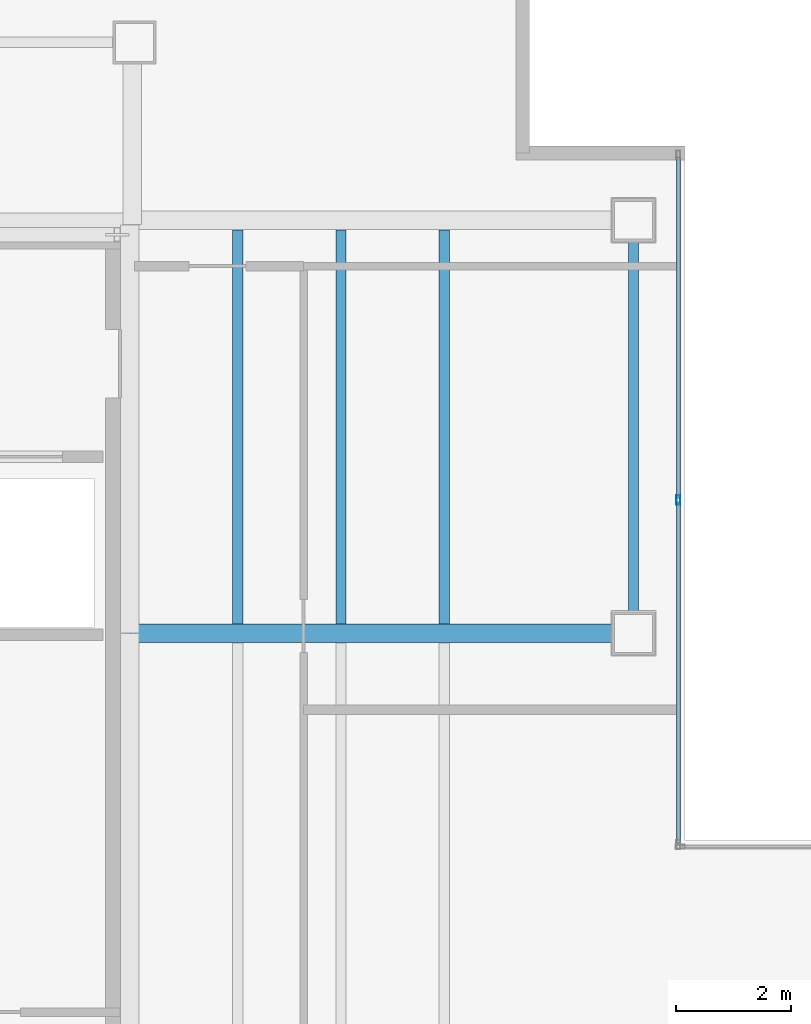
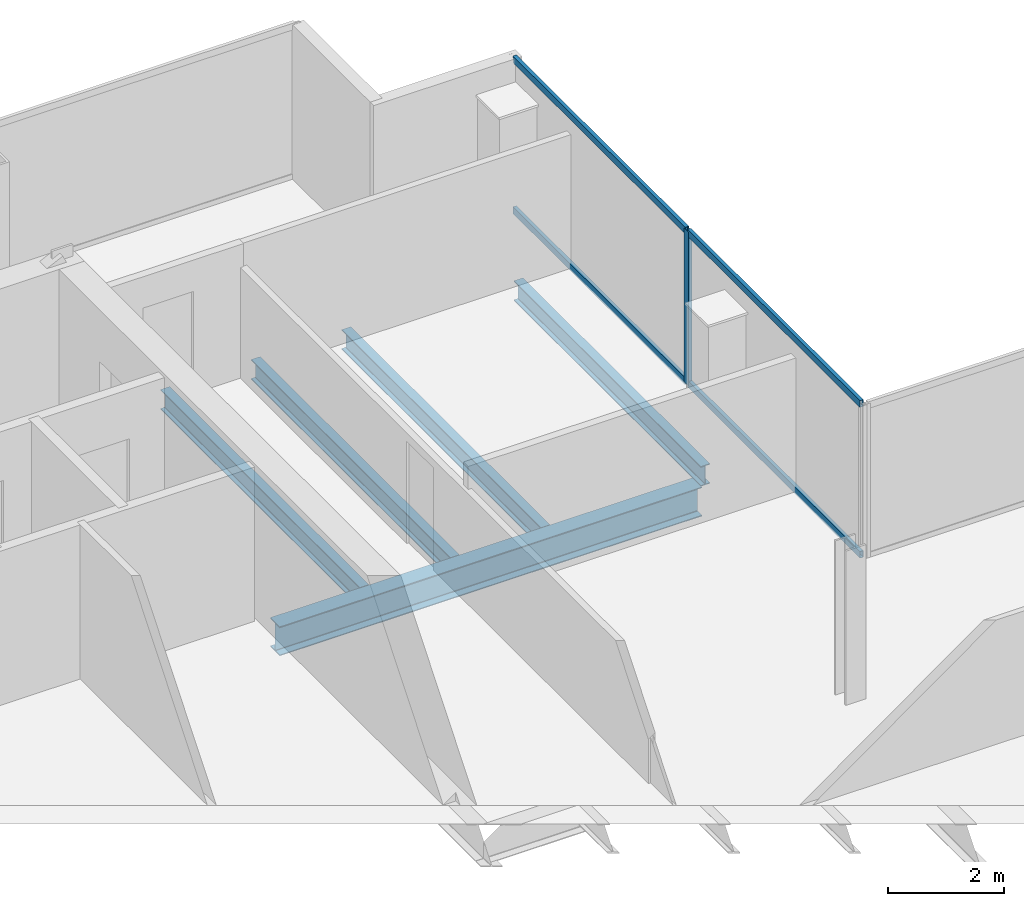
# One storey, part 9 of 23: 5 beams, 5 members, 1 element without a shape of its own.
"""IFC4 building model written with IfcOpenShell, lengths in metres."""

import ifcopenshell
import ifcopenshell.guid

model = None  # the IFC model being written
_history = None  # IfcOwnerHistory: only IFC2X3 demands one
_inside = {}  # id of a spatial element -> (the spatial element, [elements in it])
_under = {}  # id of a project, library or spatial element -> (it, [spatial elements below it])
_declared = {}  # id of a project -> (the project, [libraries it declares])
_typed = {}  # id of a type object -> (the type object, [elements of that type])
_made_of = {}  # id of a material, layer set ... -> (it, [elements and type objects made of it])


def new_model(schema):
    """Start an empty IFC model of exactly this schema.

    Asked for "IFC4X3", IfcOpenShell would pick the latest addendum, in which some entities
    have other attributes; the version numbers below select the first issue.
    IFC2X3 requires an IfcOwnerHistory on every rooted entity: one is made here for all.
    """
    global model, _history
    if schema == "IFC4X3":
        model = ifcopenshell.file(schema_version=(4, 3, 0, 0))
    else:
        model = ifcopenshell.file(schema=schema)
    _inside.clear()
    _under.clear()
    _declared.clear()
    _typed.clear()
    _made_of.clear()
    _history = None
    if model.schema == "IFC2X3":
        org = make("IfcOrganization", Name="unknown")
        user = make(
            "IfcPersonAndOrganization",
            ThePerson=make("IfcPerson", FamilyName="unknown"),
            TheOrganization=org,
        )
        app = make(
            "IfcApplication",
            ApplicationDeveloper=org,
            Version="unknown",
            ApplicationFullName="unknown",
            ApplicationIdentifier="unknown",
        )
        _history = make(
            "IfcOwnerHistory",
            OwningUser=user,
            OwningApplication=app,
            ChangeAction="ADDED",
            CreationDate=0,
        )
    return model


def make(cls, **values):
    """One entity of the class cls with the attributes given. An attribute that is None is left unset."""
    return model.create_entity(
        cls, **{name: value for name, value in values.items() if value is not None}
    )


def rooted(cls, **values):
    """An entity with a GlobalId (a new one), such as an element, a storey or a relation."""
    return make(cls, GlobalId=ifcopenshell.guid.new(), OwnerHistory=_history, **values)


def si_unit(unit_type, name, prefix=None):
    """IfcSIUnit, for example si_unit("LENGTHUNIT", "METRE", prefix="MILLI")."""
    return make("IfcSIUnit", UnitType=unit_type, Prefix=prefix, Name=name)


def assignment(units):
    """IfcUnitAssignment: the units of a project."""
    return None if units is None else make("IfcUnitAssignment", Units=units)


def point(xyz):
    """IfcCartesianPoint."""
    return None if xyz is None else make("IfcCartesianPoint", Coordinates=xyz)


def direction(xyz):
    """IfcDirection."""
    return None if xyz is None else make("IfcDirection", DirectionRatios=xyz)


def frame(location, z_axis=None, x_axis=None):
    """IfcAxis2Placement3D, a coordinate frame: its origin and axes. An axis left out is left unset."""
    return make(
        "IfcAxis2Placement3D",
        Location=point(location),
        Axis=direction(z_axis),
        RefDirection=direction(x_axis),
    )


def frame_2d(location, x_axis=None):
    """IfcAxis2Placement2D, a coordinate frame in the plane: its origin and x axis."""
    return make(
        "IfcAxis2Placement2D", Location=point(location), RefDirection=direction(x_axis)
    )


def origin():
    """The frame at (0, 0, 0) with its axes left unset."""
    return frame((0.0, 0.0, 0.0))


def origin_2d():
    """The frame at (0, 0) in the plane with its x axis left unset."""
    return frame_2d((0.0, 0.0))


def place(relative_to, where):
    """IfcLocalPlacement: puts the frame where relative to a parent placement (None: the world)."""
    return make(
        "IfcLocalPlacement", PlacementRelTo=relative_to, RelativePlacement=where
    )


def context(
    kind, dimensions, precision=None, world=None, true_north=None, identifier=None
):
    """IfcGeometricRepresentationContext, for example the 3D "Model" context."""
    return make(
        "IfcGeometricRepresentationContext",
        ContextIdentifier=identifier,
        ContextType=kind,
        CoordinateSpaceDimension=dimensions,
        Precision=precision,
        WorldCoordinateSystem=world,
        TrueNorth=true_north,
    )


def subcontext(parent, identifier, kind, view, scale=None):
    """IfcGeometricRepresentationSubContext, for example "Body" below "Model"."""
    return make(
        "IfcGeometricRepresentationSubContext",
        ContextIdentifier=identifier,
        ContextType=kind,
        ParentContext=parent,
        TargetScale=scale,
        TargetView=view,
    )


def project(units=None, contexts=None):
    """IfcProject with its units and contexts."""
    return rooted(
        "IfcProject",
        Name="project",
        RepresentationContexts=contexts,
        UnitsInContext=assignment(units),
    )


def spatial(cls, under=None, at=None, **own):
    """A site, building, storey or space (cls), placed at a placement, below another one or the project."""
    s = rooted(cls, ObjectPlacement=at, **own)
    if under is not None:
        _under.setdefault(under.id(), (under, []))[1].append(s)
    return s


def profile(cls, at=None, kind="AREA", **sizes):
    """A parametric profile (cls). Its sizes go by their IFC names, for example OverallWidth=200.0."""
    return make(cls, ProfileType=kind, Position=at, **sizes)


def hollow_rectangle(**sizes):
    """IfcRectangleHollowProfileDef."""
    return profile("IfcRectangleHollowProfileDef", **sizes)


def i_section(**sizes):
    """IfcIShapeProfileDef."""
    return profile("IfcIShapeProfileDef", **sizes)


def extrude(swept, where, along, depth):
    """IfcExtrudedAreaSolid: the profile swept, set in the frame where, extruded along a direction by depth."""
    return make(
        "IfcExtrudedAreaSolid",
        SweptArea=swept,
        Position=where,
        ExtrudedDirection=direction(along),
        Depth=depth,
    )


def shape(context_of_items, identifier, shape_type, items):
    """IfcShapeRepresentation: the items that make up one representation, for example the "Body"."""
    return make(
        "IfcShapeRepresentation",
        ContextOfItems=context_of_items,
        RepresentationIdentifier=identifier,
        RepresentationType=shape_type,
        Items=items,
    )


def material(Name=None, Category=None):
    """IfcMaterial."""
    return make("IfcMaterial", Name=Name, Category=Category)


def material_profile(
    of_material, cross_section, Name=None, Category=None, Priority=None
):
    """IfcMaterialProfile: a cross section and its material."""
    return make(
        "IfcMaterialProfile",
        Name=Name,
        Material=of_material,
        Profile=cross_section,
        Priority=Priority,
        Category=Category,
    )


def profile_set(profiles, Name=None, composite=None):
    """IfcMaterialProfileSet."""
    return make(
        "IfcMaterialProfileSet",
        Name=Name,
        MaterialProfiles=profiles,
        CompositeProfile=composite,
    )


def made_of(thing, what):
    """Note that an element or type object is made of a material, layer set ...; save() writes the relation."""
    if what is not None:
        _made_of.setdefault(what.id(), (what, []))[1].append(thing)
    return thing


def type_object(cls, material=None, **own):
    """A type object (cls), such as IfcWallType, which elements share."""
    return made_of(rooted(cls, **own), material)


def element(
    cls,
    number,
    at=None,
    inside=None,
    cuts=None,
    type_object=None,
    material=None,
    context=None,
    identifier="Body",
    shape_type=None,
    held_by="IfcProductDefinitionShape",
    body=None,
    shapes=None,
    **own,
):
    """One element of the class cls, such as IfcWall. Its Tag is "e" and its number.

    at: its placement. inside: the storey or other place that contains it. cuts: it is an
    opening in that element (IfcRelVoidsElement). A single representation is given by context,
    identifier, shape_type and body (its items); several are given by shapes. held_by: the class
    of the entity that holds the representations. save() writes the other relations.
    """
    e = rooted(cls, Tag="e%d" % number, ObjectPlacement=at, **own)
    if body is not None:
        shapes = [shape(context, identifier, shape_type, body)]
    if shapes is not None:
        e.Representation = make(held_by, Representations=shapes)
    if inside is not None:
        _inside.setdefault(inside.id(), (inside, []))[1].append(e)
    if cuts is not None:
        rooted(
            "IfcRelVoidsElement", RelatingBuildingElement=cuts, RelatedOpeningElement=e
        )
    if type_object is not None:
        _typed.setdefault(type_object.id(), (type_object, []))[1].append(e)
    return made_of(e, material)


def aggregate(whole, parts):
    """IfcRelAggregates: a whole, such as a stair, and the parts it consists of."""
    return rooted("IfcRelAggregates", RelatingObject=whole, RelatedObjects=parts)


def save(model, path):
    """Write the relations noted so far, then the file.

    IfcRelAggregates (storeys below a building ...), IfcRelContainedInSpatialStructure (elements
    in a storey), IfcRelDefinesByType, IfcRelAssociatesMaterial and IfcRelDeclares: one each for
    every whole, place, type object, material and project.
    """
    for whole, parts in _under.values():
        aggregate(whole, parts)
    for where, things in _inside.values():
        rooted(
            "IfcRelContainedInSpatialStructure",
            RelatedElements=things,
            RelatingStructure=where,
        )
    for kind, things in _typed.values():
        rooted("IfcRelDefinesByType", RelatedObjects=things, RelatingType=kind)
    for what, things in _made_of.values():
        rooted("IfcRelAssociatesMaterial", RelatedObjects=things, RelatingMaterial=what)
    for by, libraries in _declared.values():
        rooted("IfcRelDeclares", RelatingContext=by, RelatedDefinitions=libraries)
    model.write(path)


model = new_model("IFC4")

# Units and contexts
model_context = context("Model", 3, precision=1e-05, world=origin(), true_north=direction((0.0, 1.0)))
body_context = subcontext(model_context, "Body", "Model", "MODEL_VIEW")
ifc_project = project(units=[si_unit("LENGTHUNIT", "METRE"), si_unit("AREAUNIT", "SQUARE_METRE"), si_unit("VOLUMEUNIT", "CUBIC_METRE"), si_unit("PLANEANGLEUNIT", "RADIAN"), si_unit("MASSUNIT", "GRAM", prefix="KILO")], contexts=[model_context])

# Site, building, storey
site_placement = place(None, origin())
site = spatial("IfcSite", under=ifc_project, at=site_placement, CompositionType="ELEMENT")
building_placement = place(site_placement, origin())
building = spatial("IfcBuilding", under=site, at=building_placement, Name="Cobrela Telecom Tower", CompositionType="ELEMENT")
storey_placement = place(building_placement, frame((0.0, 0.0, 229.25)))
storey = spatial("IfcBuildingStorey", under=building, at=storey_placement, Name="L59", CompositionType="ELEMENT", Elevation=229.25)

# Beams
ifc_material_1 = material(Name="Steel ASTM A992 Grade 50", Category="steel")
ifc_material_profile_1 = material_profile(ifc_material_1, i_section(OverallWidth=0.324951171875, OverallDepth=0.612060546875, WebThickness=0.0126953125, FlangeThickness=0.01904296875, FilletRadius=0.014892578125, at=origin_2d()), Name="W24X104")
ifc_profile_set_1 = profile_set([ifc_material_profile_1], Name="Steel ASTM A992 Grade 50")
beam_type_1 = type_object("IfcBeamType", Name="BM-GIRD-07", PredefinedType="USERDEFINED", material=ifc_profile_set_1)
beam_1_placement = place(storey_placement, frame((14.324951171875, 28.800048828125, -0.56591796875), z_axis=(1.0, 0.0, 0.0), x_axis=(0.0, 1.0, 0.0)))
element("IfcBeam", 1, at=beam_1_placement, inside=storey, type_object=beam_type_1, Name="L59 Primary Girder X19", ObjectType="GIRDER", PredefinedType="USERDEFINED", context=body_context, shape_type="SweptSolid", body=[
    extrude(i_section(OverallWidth=0.324951171875, OverallDepth=0.612060546875, WebThickness=0.0126953125, FlangeThickness=0.01904296875, FilletRadius=0.014892578125, at=origin_2d()), origin(), (0.0, 0.0, 1.0), 8.39501953125),
])
ifc_material_profile_2 = material_profile(ifc_material_1, i_section(OverallWidth=0.179931640625, OverallDepth=0.4169921875, WebThickness=0.010986328125, FlangeThickness=0.01806640625, FilletRadius=0.011962890625, at=origin_2d()), Name="W16X57")
ifc_profile_set_2 = profile_set([ifc_material_profile_2], Name="Steel ASTM A992 Grade 50")
beam_type_2 = type_object("IfcBeamType", Name="BM-JOIST-04", PredefinedType="JOIST", material=ifc_profile_set_2)
for number, where, z_axis, x_axis, name in (
    (2, (16.199951171875, 28.967529296875, -0.468505859375), (0.0, 1.0, 0.0), (-1.0, 0.0, 0.0), "L59 Secondary Composite Floor Beam J04"),
    (3, (18.0, 28.967529296875, -0.468505859375), (0.0, 1.0, 0.0), (-1.0, 0.0, 0.0), "L59 Secondary Composite Floor Beam J08"),
    (4, (19.800048828125, 28.967529296875, -0.468505859375), (0.0, 1.0, 0.0), (-1.0, 0.0, 0.0), "L59 Secondary Composite Floor Beam J12"),
):
    element("IfcBeam", number, at=place(storey_placement, frame(where, z_axis=z_axis, x_axis=x_axis)), inside=storey, type_object=beam_type_2, Name=name, PredefinedType="JOIST", context=body_context, shape_type="SweptSolid", body=[
        extrude(i_section(OverallWidth=0.179931640625, OverallDepth=0.4169921875, WebThickness=0.010986328125, FlangeThickness=0.01806640625, FilletRadius=0.011962890625, at=origin_2d()), origin(), (0.0, 0.0, 1.0), 6.864990234375),
    ])
ifc_material_profile_3 = material_profile(ifc_material_1, i_section(OverallWidth=0.179931640625, OverallDepth=0.4169921875, WebThickness=0.010986328125, FlangeThickness=0.01806640625, FilletRadius=0.011962890625, at=origin_2d()), Name="W16X57")
ifc_profile_set_3 = profile_set([ifc_material_profile_3], Name="Steel ASTM A992 Grade 50")
beam_type_3 = type_object("IfcBeamType", Name="BM-SPAND-06", PredefinedType="SPANDREL", material=ifc_profile_set_3)
beam_2_placement = place(storey_placement, frame((23.10009765625, 29.179931640625, -0.468505859375), z_axis=(0.0, 1.0, 0.0), x_axis=(-1.0, 0.0, 0.0)))
element("IfcBeam", 5, at=beam_2_placement, inside=storey, type_object=beam_type_3, Name="L59 Perimeter Spandrel Y35", PredefinedType="SPANDREL", context=body_context, shape_type="SweptSolid", body=[
    extrude(i_section(OverallWidth=0.179931640625, OverallDepth=0.4169921875, WebThickness=0.010986328125, FlangeThickness=0.01806640625, FilletRadius=0.011962890625, at=origin_2d()), origin(), (0.0, 0.0, 1.0), 6.440185546875),
])

# Curtain wall, members
ifc_material_2 = material(Name="Anodized Bronze Aluminium 6063-T6", Category="aluminium")
curtain_wall_type = type_object("IfcCurtainWallType", Name="CW-SYS-OFF-LO", PredefinedType="USERDEFINED", material=ifc_material_2)
curtain_wall_placement = place(storey_placement, origin())
curtain_wall = element("IfcCurtainWall", 6, at=curtain_wall_placement, inside=storey, type_object=curtain_wall_type, Name="L59 Unitised Bronze Curtain Wall 10", ObjectType="UNITISED CURTAIN WALL", PredefinedType="USERDEFINED")
ifc_material_profile_4 = material_profile(ifc_material_2, hollow_rectangle(XDim=0.070068359375, YDim=0.159912109375, WallThickness=0.00390625, at=origin_2d()), Name="ALU 70x160x4")
ifc_profile_set_4 = profile_set([ifc_material_profile_4], Name="Anodized Bronze Aluminium 6063-T6")
member_type_1 = type_object("IfcMemberType", Name="CW-SYS-OFF-LO-MUL", PredefinedType="MULLION", material=ifc_profile_set_4)
member_1_placement = place(storey_placement, frame((23.8798828125, 31.125, 0.0), z_axis=(0.0, 0.0, 1.0), x_axis=(1.0, 0.0, 0.0)))
member_1 = element("IfcMember", 7, at=member_1_placement, type_object=member_type_1, Name="CW-OFF-LO mullion 2", PredefinedType="MULLION", context=body_context, shape_type="SweptSolid", body=[
    extrude(hollow_rectangle(XDim=0.070068359375, YDim=0.159912109375, WallThickness=0.00390625, at=origin_2d()), origin(), (0.0, 0.0, 1.0), 3.239990234375),
])
ifc_material_profile_5 = material_profile(ifc_material_2, hollow_rectangle(XDim=0.070068359375, YDim=0.139892578125, WallThickness=0.00390625, at=origin_2d()), Name="ALU 70x140x4")
ifc_profile_set_5 = profile_set([ifc_material_profile_5], Name="Anodized Bronze Aluminium 6063-T6")
member_type_2 = type_object("IfcMemberType", Name="CW-SYS-OFF-LO-TRN", PredefinedType="USERDEFINED", material=ifc_profile_set_5)
member_2_placement = place(storey_placement, frame((23.8798828125, 37.10009765625, 0.034912109375), z_axis=(0.0, -1.0, 0.0), x_axis=(1.0, 0.0, 0.0)))
member_2 = element("IfcMember", 8, at=member_2_placement, type_object=member_type_2, Name="CW-OFF-LO transom 1.1", ObjectType="TRANSOM", PredefinedType="USERDEFINED", context=body_context, shape_type="SweptSolid", body=[
    extrude(hollow_rectangle(XDim=0.070068359375, YDim=0.139892578125, WallThickness=0.00390625, at=origin_2d()), origin(), (0.0, 0.0, 1.0), 5.940185546875),
])
member_3_placement = place(storey_placement, frame((23.8798828125, 37.10009765625, 3.205078125), z_axis=(0.0, -1.0, 0.0), x_axis=(1.0, 0.0, 0.0)))
member_3 = element("IfcMember", 9, at=member_3_placement, type_object=member_type_2, Name="CW-OFF-LO transom 1.2", ObjectType="TRANSOM", PredefinedType="USERDEFINED", context=body_context, shape_type="SweptSolid", body=[
    extrude(hollow_rectangle(XDim=0.070068359375, YDim=0.139892578125, WallThickness=0.00390625, at=origin_2d()), origin(), (0.0, 0.0, 1.0), 5.940185546875),
])
member_4_placement = place(storey_placement, frame((23.8798828125, 31.090087890625, 0.034912109375), z_axis=(0.0, -1.0, 0.0), x_axis=(1.0, 0.0, 0.0)))
member_4 = element("IfcMember", 10, at=member_4_placement, type_object=member_type_2, Name="CW-OFF-LO transom 2.1", ObjectType="TRANSOM", PredefinedType="USERDEFINED", context=body_context, shape_type="SweptSolid", body=[
    extrude(hollow_rectangle(XDim=0.070068359375, YDim=0.139892578125, WallThickness=0.00390625, at=origin_2d()), origin(), (0.0, 0.0, 1.0), 5.940185546875),
])
member_5_placement = place(storey_placement, frame((23.8798828125, 31.090087890625, 3.205078125), z_axis=(0.0, -1.0, 0.0), x_axis=(1.0, 0.0, 0.0)))
member_5 = element("IfcMember", 11, at=member_5_placement, type_object=member_type_2, Name="CW-OFF-LO transom 2.2", ObjectType="TRANSOM", PredefinedType="USERDEFINED", context=body_context, shape_type="SweptSolid", body=[
    extrude(hollow_rectangle(XDim=0.070068359375, YDim=0.139892578125, WallThickness=0.00390625, at=origin_2d()), origin(), (0.0, 0.0, 1.0), 5.940185546875),
])
aggregate(curtain_wall, [member_1, member_2, member_3, member_4, member_5])

save(model, "model.ifc")
